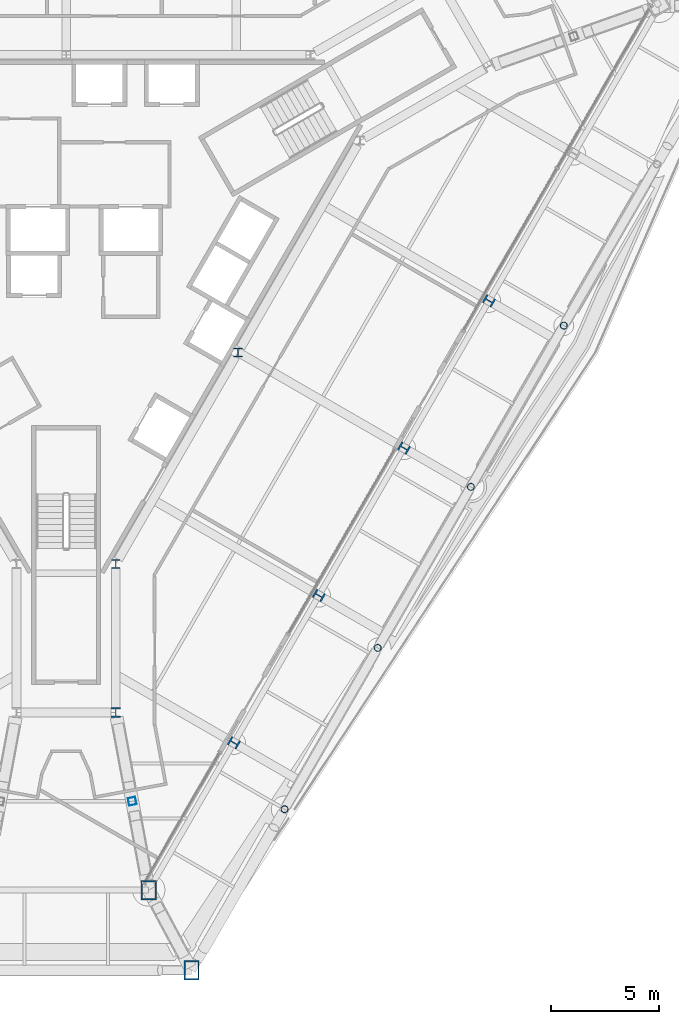
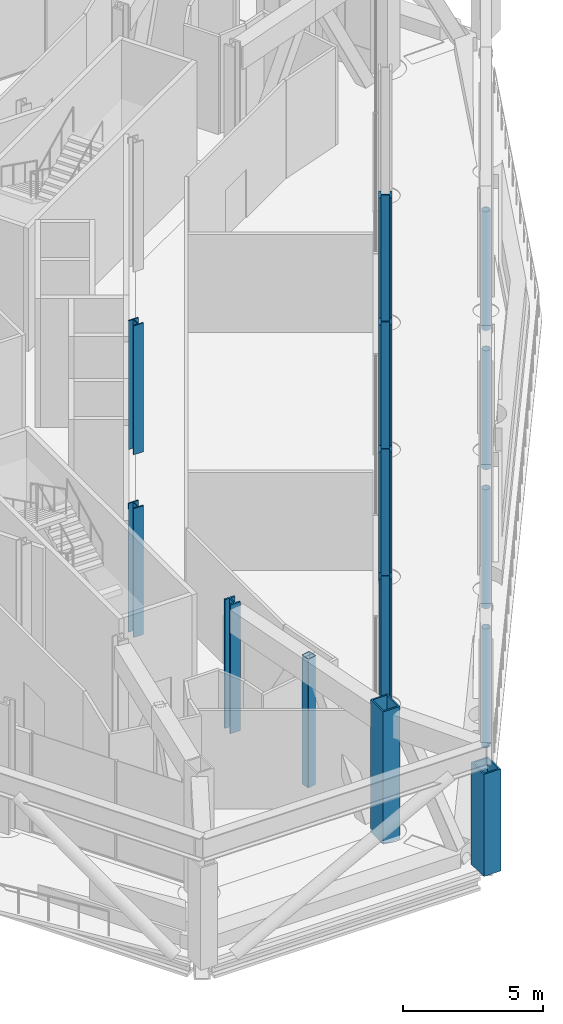
# One storey, part 2 of 26: 14 columns.
"""IFC4 building model written with IfcOpenShell, lengths in metres."""

from ifc_helpers import new_model, si_unit, direction, frame, origin, origin_2d, place, context, subcontext, project, spatial, hollow_rectangle, hollow_circle, i_section, extrude, material, material_profile, profile_set, type_object, element, save


model = new_model("IFC4")

# Units and contexts
model_context = context("Model", 3, precision=1e-05, world=origin(), true_north=direction((0.0, 1.0)))
body_context = subcontext(model_context, "Body", "Model", "MODEL_VIEW")
ifc_project = project(units=[si_unit("LENGTHUNIT", "METRE"), si_unit("AREAUNIT", "SQUARE_METRE"), si_unit("VOLUMEUNIT", "CUBIC_METRE"), si_unit("PLANEANGLEUNIT", "RADIAN"), si_unit("MASSUNIT", "GRAM", prefix="KILO")], contexts=[model_context])

# Site, building, storey
site_placement = place(None, origin())
site = spatial("IfcSite", under=ifc_project, at=site_placement, CompositionType="ELEMENT")
building_placement = place(site_placement, origin())
building = spatial("IfcBuilding", under=site, at=building_placement, Name="Verrane Prism Tower", CompositionType="ELEMENT")
storey_placement = place(building_placement, frame((0.0, 0.0, 87.199951171875)))
storey = spatial("IfcBuildingStorey", under=building, at=storey_placement, Name="L20", CompositionType="ELEMENT", Elevation=87.199951171875)

# Columns
ifc_material_1 = material(Name="Steel A500 Grade C", Category="steel")
ifc_material_profile_1 = material_profile(ifc_material_1, hollow_circle(Radius=0.16259765625, WallThickness=0.0126953125, at=origin_2d()), Name="HSS12.750x0.500")
ifc_profile_set_1 = profile_set([ifc_material_profile_1], Name="Steel A500 Grade C")
column_type_1 = type_object("IfcColumnType", Name="Belt truss post HSS12.750x0.500", PredefinedType="COLUMN", material=ifc_profile_set_1)
for number, where, z_axis, x_axis, name in (
    (1, (10.1298828125, -25.7900390625, -0.72998046875), (0.0, 0.0, 1.0), (-0.5, -0.866025403784, 0.0), "Belt truss post L20"),
    (2, (14.449951171875, -18.31005859375, -0.72998046875), (0.0, 0.0, 1.0), (-0.5, -0.866025403784, 0.0), "Belt truss post L20"),
    (3, (18.77001953125, -10.840087890625, -0.72998046875), (0.0, 0.0, 1.0), (-0.5, -0.866025403784, 0.0), "Belt truss post L20"),
    (4, (23.080078125, -3.360107421875, -0.72998046875), (0.0, 0.0, 1.0), (-0.5, -0.866025403784, 0.0), "Belt truss post L20"),
):
    element("IfcColumn", number, at=place(storey_placement, frame(where, z_axis=z_axis, x_axis=x_axis)), inside=storey, type_object=column_type_1, Name=name, PredefinedType="COLUMN", context=body_context, shape_type="SweptSolid", body=[
        extrude(hollow_circle(Radius=0.16259765625, WallThickness=0.0126953125, at=origin_2d()), origin(), (0.0, 0.0, 1.0), 5.169921875),
    ])
ifc_material_2 = material(Name="Steel A992", Category="steel")
ifc_material_profile_2 = material_profile(ifc_material_2, i_section(OverallWidth=0.419189453125, OverallDepth=0.45458984375, WebThickness=0.042236328125, FlangeThickness=0.067626953125, FilletRadius=0.01513671875, at=origin_2d()), Name="W14x370")
ifc_profile_set_2 = profile_set([ifc_material_profile_2], Name="Steel A992")
column_type_2 = type_object("IfcColumnType", Name="Core corner column W14x370", PredefinedType="COLUMN", material=ifc_profile_set_2)
column_1_placement = place(storey_placement, frame((2.300048828125, -21.300048828125, 0.0), z_axis=(0.0, 0.0, 1.0), x_axis=(-1.0, 0.0, 0.0)))
element("IfcColumn", 5, at=column_1_placement, inside=storey, type_object=column_type_2, Name="Core corner column CK-Sp L20", PredefinedType="COLUMN", context=body_context, shape_type="SweptSolid", body=[
    extrude(i_section(OverallWidth=0.419189453125, OverallDepth=0.45458984375, WebThickness=0.042236328125, FlangeThickness=0.067626953125, FilletRadius=0.01513671875, at=origin_2d()), origin(), (0.0, 0.0, 1.0), 5.60009765625),
])
ifc_material_3 = material(Name="Steel A992", Category="steel")
ifc_material_profile_3 = material_profile(ifc_material_3, i_section(OverallWidth=0.406494140625, OverallDepth=0.41650390625, WebThickness=0.030029296875, FlangeThickness=0.048095703125, FilletRadius=0.01513671875, at=origin_2d()), Name="W14x257")
ifc_profile_set_3 = profile_set([ifc_material_profile_3], Name="Steel A992")
column_type_3 = type_object("IfcColumnType", Name="Core side column W14x257", PredefinedType="COLUMN", material=ifc_profile_set_3)
for number, where, z_axis, x_axis, name in (
    (6, (2.300048828125, -14.419921875, 0.0), (0.0, 0.0, 1.0), (1.0, 0.0, 0.0), "Core side column CC-Sp L20"),
    (7, (7.969970703125, -4.60009765625, 0.0), (0.0, 0.0, 1.0), (1.0, 0.0, 0.0), "Core side column CC-SE0 L20"),
):
    element("IfcColumn", number, at=place(storey_placement, frame(where, z_axis=z_axis, x_axis=x_axis)), inside=storey, type_object=column_type_3, Name=name, PredefinedType="COLUMN", context=body_context, shape_type="SweptSolid", body=[
        extrude(i_section(OverallWidth=0.406494140625, OverallDepth=0.41650390625, WebThickness=0.030029296875, FlangeThickness=0.048095703125, FilletRadius=0.01513671875, at=origin_2d()), origin(), (0.0, 0.0, 1.0), 5.60009765625),
    ])
ifc_material_4 = material(Name="Steel A572 Grade 50", Category="steel")
ifc_material_profile_4 = material_profile(ifc_material_4, hollow_rectangle(XDim=0.699951171875, YDim=0.89990234375, WallThickness=0.06494140625, at=origin_2d()), Name="BOX 900x700x65")
ifc_profile_set_4 = profile_set([ifc_material_profile_4], Name="Steel A572 Grade 50")
column_type_4 = type_object("IfcColumnType", Name="Megacolumn BOX 900x700x65", PredefinedType="COLUMN", material=ifc_profile_set_4)
column_2_placement = place(storey_placement, frame((5.820068359375, -33.260009765625, 0.0), z_axis=(0.0, 0.0, 1.0), x_axis=(-1.0, 0.0, 0.0)))
element("IfcColumn", 8, at=column_2_placement, inside=storey, type_object=column_type_4, Name="Megacolumn MC-S.b@out L20", PredefinedType="COLUMN", context=body_context, shape_type="SweptSolid", body=[
    extrude(hollow_rectangle(XDim=0.699951171875, YDim=0.89990234375, WallThickness=0.06494140625, at=origin_2d()), origin(), (0.0, 0.0, 1.0), 4.43994140625),
])
column_3_placement = place(storey_placement, frame((3.830078125, -29.5400390625, -0.159912109375), z_axis=(0.0, 0.0, 1.0), x_axis=(-1.0, 0.0, 0.0)))
element("IfcColumn", 9, at=column_3_placement, inside=storey, type_object=column_type_4, Name="Megacolumn MC-S.b L20", PredefinedType="COLUMN", context=body_context, shape_type="SweptSolid", body=[
    extrude(hollow_rectangle(XDim=0.699951171875, YDim=0.89990234375, WallThickness=0.06494140625, at=origin_2d()), origin(), (0.0, 0.0, 1.0), 5.760009765625),
])
ifc_material_5 = material(Name="Steel A500 Grade C", Category="steel")
ifc_material_profile_5 = material_profile(ifc_material_5, hollow_rectangle(XDim=0.355712890625, YDim=0.355712890625, WallThickness=0.0126953125, InnerFilletRadius=0.00634765625, OuterFilletRadius=0.01904296875, at=origin_2d()), Name="HSS14x14x1/2")
ifc_profile_set_5 = profile_set([ifc_material_profile_5], Name="Steel A500 Grade C")
column_type_5 = type_object("IfcColumnType", Name="Outrigger truss post HSS14x14x1/2", PredefinedType="COLUMN", material=ifc_profile_set_5)
column_4_placement = place(storey_placement, frame((3.06494140625, -25.419921875, -0.159912109375), z_axis=(0.0, 0.0, 1.0), x_axis=(0.983194740542, 0.182559859143, 0.0)))
element("IfcColumn", 10, at=column_4_placement, inside=storey, type_object=column_type_5, Name="Outrigger truss post L20", PredefinedType="COLUMN", context=body_context, shape_type="SweptSolid", body=[
    extrude(hollow_rectangle(XDim=0.355712890625, YDim=0.355712890625, WallThickness=0.0126953125, InnerFilletRadius=0.00634765625, OuterFilletRadius=0.01904296875, at=origin_2d()), origin(), (0.0, 0.0, 1.0), 5.599853515625),
])
ifc_material_6 = material(Name="Steel A992", Category="steel")
ifc_material_profile_6 = material_profile(ifc_material_6, i_section(OverallWidth=0.424072265625, OverallDepth=0.47509765625, WebThickness=0.0478515625, FlangeThickness=0.0771484375, FilletRadius=0.014892578125, at=origin_2d()), Name="W14x426")
ifc_profile_set_6 = profile_set([ifc_material_profile_6], Name="Steel A992")
column_type_6 = type_object("IfcColumnType", Name="Perimeter column W14x426", PredefinedType="COLUMN", material=ifc_profile_set_6)
for number, where, z_axis, x_axis, name in (
    (11, (7.780029296875, -22.7099609375, -0.159912109375), (0.0, 0.0, 1.0), (-0.5, -0.866025403784, 0.0), "Perimeter column PC-SE1 L20"),
    (12, (11.719970703125, -15.8798828125, -0.159912109375), (0.0, 0.0, 1.0), (-0.5, -0.866025403784, 0.0), "Perimeter column PC-SE2 L20"),
    (13, (15.669921875, -9.0400390625, -0.159912109375), (0.0, 0.0, 1.0), (-0.5, -0.866025403784, 0.0), "Perimeter column PC-SE3 L20"),
    (14, (19.610107421875, -2.2099609375, -0.159912109375), (0.0, 0.0, 1.0), (-0.5, -0.866025403784, 0.0), "Perimeter column PC-SE4 L20"),
):
    element("IfcColumn", number, at=place(storey_placement, frame(where, z_axis=z_axis, x_axis=x_axis)), inside=storey, type_object=column_type_6, Name=name, PredefinedType="COLUMN", context=body_context, shape_type="SweptSolid", body=[
        extrude(i_section(OverallWidth=0.424072265625, OverallDepth=0.47509765625, WebThickness=0.0478515625, FlangeThickness=0.0771484375, FilletRadius=0.014892578125, at=origin_2d()), origin(), (0.0, 0.0, 1.0), 5.760009765625),
    ])

save(model, "model.ifc")
